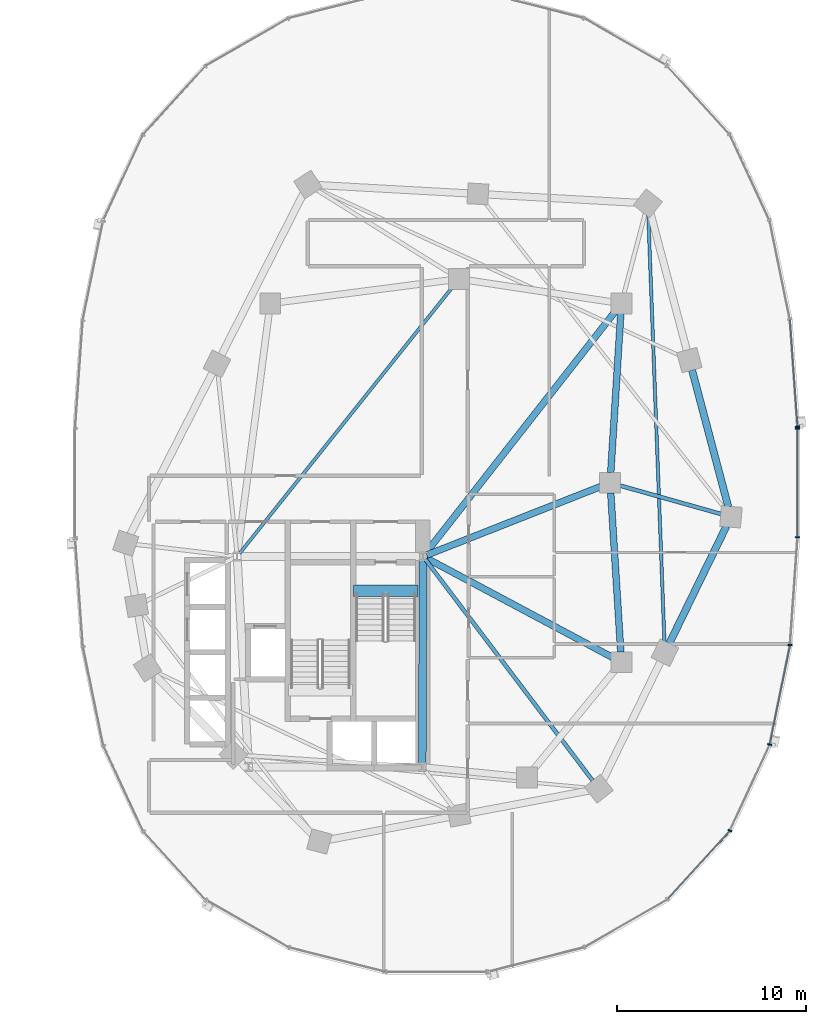
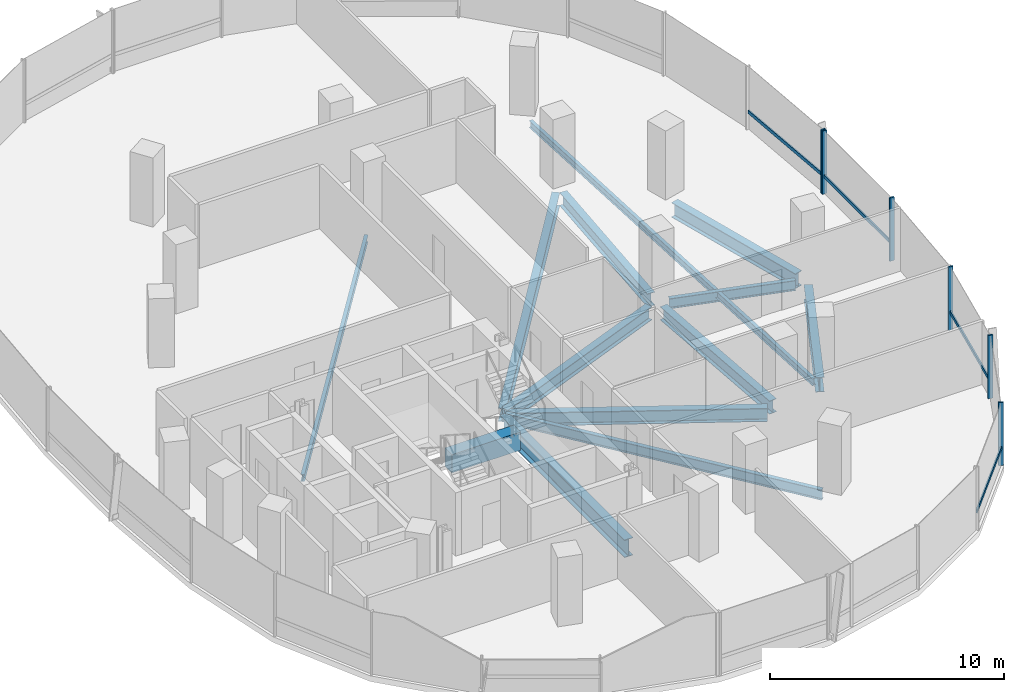
# One storey, part 6 of 21: 13 beams, 10 members, 2 elements without a shape of their own.
"""IFC4 building model written with IfcOpenShell, lengths in metres."""

from ifc_helpers import new_model, si_unit, direction, frame, origin, origin_2d, place, context, subcontext, project, spatial, rectangle, i_section, extrude, material, material_profile, profile_set, type_object, element, aggregate, save


model = new_model("IFC4")

# Units and contexts
model_context = context("Model", 3, precision=1e-05, world=origin(), true_north=direction((0.0, 1.0)))
body_context = subcontext(model_context, "Body", "Model", "MODEL_VIEW")
ifc_project = project(units=[si_unit("LENGTHUNIT", "METRE"), si_unit("AREAUNIT", "SQUARE_METRE"), si_unit("VOLUMEUNIT", "CUBIC_METRE"), si_unit("PLANEANGLEUNIT", "RADIAN"), si_unit("MASSUNIT", "GRAM", prefix="KILO"), si_unit("THERMODYNAMICTEMPERATUREUNIT", "KELVIN"), si_unit("POWERUNIT", "WATT")], contexts=[model_context])

# Site, building, storey
site_placement = place(None, origin())
site = spatial("IfcSite", under=ifc_project, at=site_placement, CompositionType="ELEMENT")
building_placement = place(site_placement, origin())
building = spatial("IfcBuilding", under=site, at=building_placement, Name="Cundina Bronze Exchange", CompositionType="ELEMENT")
storey_placement = place(building_placement, frame((0.0, 0.0, 85.39990234375)))
storey = spatial("IfcBuildingStorey", under=building, at=storey_placement, Name="L21", CompositionType="ELEMENT", Elevation=85.39990234375)

# Beams
ifc_material_1 = material(Name="Concrete C60/75", Category="concrete")
ifc_material_profile_1 = material_profile(ifc_material_1, rectangle(XDim=0.60009765625, YDim=0.949951171875, at=origin_2d()), Name="RC600X950", Category="concrete")
ifc_profile_set_1 = profile_set([ifc_material_profile_1], Name="Concrete C60/75")
beam_type_1 = type_object("IfcBeamType", Name="BM-COUP-RC950", PredefinedType="LINTEL", material=ifc_profile_set_1)
beam_1_placement = place(storey_placement, frame((27.6201171875, -5.719970703125, -0.474853515625), z_axis=(1.0, 0.0, 0.0), x_axis=(0.0, 1.0, 0.0)))
element("IfcBeam", 1, at=beam_1_placement, inside=storey, type_object=beam_type_1, Name="L21 Stair E1 Landing Header Beam", PredefinedType="LINTEL", context=body_context, shape_type="SweptSolid", body=[
    extrude(rectangle(XDim=0.60009765625, YDim=0.949951171875, at=origin_2d()), origin(), (0.0, 0.0, 1.0), 3.39990234375),
])
ifc_material_2 = material(Name="Steel ASTM A992 Grade 50", Category="steel")
ifc_material_profile_2 = material_profile(ifc_material_2, i_section(OverallWidth=0.2099609375, OverallDepth=0.532958984375, WebThickness=0.01025390625, FlangeThickness=0.015625, FilletRadius=0.013916015625, at=origin_2d()), Name="W21X62", Category="steel")
ifc_profile_set_2 = profile_set([ifc_material_profile_2], Name="Steel ASTM A992 Grade 50")
beam_type_2 = type_object("IfcBeamType", Name="BM-FLR-W21B", PredefinedType="BEAM", material=ifc_profile_set_2)
beam_2_placement = place(storey_placement, frame((31.423095703125, -4.062744140625, -0.56640625), z_axis=(0.603095885041, -0.797668699052, 0.0), x_axis=(0.797668699052, 0.603095885041, 0.0)))
element("IfcBeam", 2, at=beam_2_placement, inside=storey, type_object=beam_type_2, Name="L21 Leg E Chordal Floor Beam 06", PredefinedType="BEAM", context=body_context, shape_type="SweptSolid", body=[
    extrude(i_section(OverallWidth=0.2099609375, OverallDepth=0.532958984375, WebThickness=0.01025390625, FlangeThickness=0.015625, FilletRadius=0.013916015625, at=origin_2d()), origin(), (0.0, 0.0, 1.0), 14.677978515625),
])
beam_3_placement = place(storey_placement, frame((41.718017578125, -0.145751953125, -0.56640625), z_axis=(0.962654865541, -0.270731619598, 0.0), x_axis=(0.270731619598, 0.962654865541, 0.0)))
element("IfcBeam", 3, at=beam_3_placement, inside=storey, type_object=beam_type_2, Name="L21 Leg E Chordal Floor Beam 08", PredefinedType="BEAM", context=body_context, shape_type="SweptSolid", body=[
    extrude(i_section(OverallWidth=0.2099609375, OverallDepth=0.532958984375, WebThickness=0.01025390625, FlangeThickness=0.015625, FilletRadius=0.013916015625, at=origin_2d()), origin(), (0.0, 0.0, 1.0), 5.572021484375),
])
ifc_material_profile_3 = material_profile(ifc_material_2, i_section(OverallWidth=0.172119140625, OverallDepth=0.35791015625, WebThickness=0.0078125, FlangeThickness=0.01318359375, FilletRadius=0.010009765625, at=origin_2d()), Name="W14X38", Category="steel")
ifc_profile_set_3 = profile_set([ifc_material_profile_3], Name="Steel ASTM A992 Grade 50")
beam_type_3 = type_object("IfcBeamType", Name="BM-JST-W14", PredefinedType="JOIST", material=ifc_profile_set_3)
beam_4_placement = place(storey_placement, frame((21.577392578125, -3.740478515625, -0.47900390625), z_axis=(0.62436887964, 0.781129632095, 0.0), x_axis=(-0.781129632095, 0.62436887964, 0.0)))
element("IfcBeam", 4, at=beam_4_placement, inside=storey, type_object=beam_type_3, Name="L21 E Interior Core-to-Ring Joist 2", PredefinedType="JOIST", context=body_context, shape_type="SweptSolid", body=[
    extrude(i_section(OverallWidth=0.172119140625, OverallDepth=0.35791015625, WebThickness=0.0078125, FlangeThickness=0.01318359375, FilletRadius=0.010009765625, at=origin_2d()), origin(), (0.0, 0.0, 1.0), 18.076904296875),
])
beam_5_placement = place(storey_placement, frame((44.07958984375, -8.46240234375, -0.47900390625), z_axis=(-0.03778951385, 0.999285721224, 0.0), x_axis=(-0.999285721224, -0.03778951385, 0.0)))
element("IfcBeam", 5, at=beam_5_placement, inside=storey, type_object=beam_type_3, Name="L21 Leg E Lobe Floor Joist 07-10", PredefinedType="JOIST", context=body_context, shape_type="SweptSolid", body=[
    extrude(i_section(OverallWidth=0.172119140625, OverallDepth=0.35791015625, WebThickness=0.0078125, FlangeThickness=0.01318359375, FilletRadius=0.010009765625, at=origin_2d()), origin(), (0.0, 0.0, 1.0), 22.7412109375),
])
ifc_material_profile_4 = material_profile(ifc_material_2, i_section(OverallWidth=0.35498046875, OverallDepth=0.695068359375, WebThickness=0.015380859375, FlangeThickness=0.02490234375, FilletRadius=0.01806640625, at=origin_2d()), Name="W27X146", Category="steel")
ifc_profile_set_4 = profile_set([ifc_material_profile_4], Name="Steel ASTM A992 Grade 50")
beam_type_4 = type_object("IfcBeamType", Name="BM-RING-W27", PredefinedType="USERDEFINED", material=ifc_profile_set_4)
for number, where, z_axis, x_axis, name in (
    (6, (41.76611328125, -8.963134765625, -0.6474609375), (-0.06303715519, 0.998011180832, 0.0), (-0.998011180832, -0.06303715519, 0.0), "L21 E Inner Structural Ring Girder 03"),
    (7, (41.23388671875, 0.536865234375, -0.6474609375), (0.06303715519, 0.998011180832, 0.0), (-0.998011180832, 0.06303715519, 0.0), "L21 E Inner Structural Ring Girder 04"),
):
    element("IfcBeam", number, at=place(storey_placement, frame(where, z_axis=z_axis, x_axis=x_axis)), inside=storey, type_object=beam_type_4, Name=name, ObjectType="GIRDER", PredefinedType="USERDEFINED", context=body_context, shape_type="SweptSolid", body=[
        extrude(i_section(OverallWidth=0.35498046875, OverallDepth=0.695068359375, WebThickness=0.015380859375, FlangeThickness=0.02490234375, FilletRadius=0.01806640625, at=origin_2d()), origin(), (0.0, 0.0, 1.0), 8.443115234375),
    ])
beam_6_placement = place(storey_placement, frame((31.48974609375, -3.8251953125, -0.6474609375), z_axis=(0.930413235418, 0.366512225388, 0.0), x_axis=(-0.366512225388, 0.930413235418, 0.0)))
element("IfcBeam", 8, at=beam_6_placement, inside=storey, type_object=beam_type_4, Name="L21 E Core-to-Waist Tie Beam 1", ObjectType="GIRDER", PredefinedType="USERDEFINED", context=body_context, shape_type="SweptSolid", body=[
    extrude(i_section(OverallWidth=0.35498046875, OverallDepth=0.695068359375, WebThickness=0.015380859375, FlangeThickness=0.02490234375, FilletRadius=0.01806640625, at=origin_2d()), origin(), (0.0, 0.0, 1.0), 9.8984375),
])
beam_7_placement = place(storey_placement, frame((31.47998046875, -3.99609375, -0.6474609375), z_axis=(0.882354758239, -0.470584828286, 0.0), x_axis=(0.470584828286, 0.882354758239, 0.0)))
element("IfcBeam", 9, at=beam_7_placement, inside=storey, type_object=beam_type_4, Name="L21 E Core-to-Waist Tie Beam 2", ObjectType="GIRDER", PredefinedType="USERDEFINED", context=body_context, shape_type="SweptSolid", body=[
    extrude(i_section(OverallWidth=0.35498046875, OverallDepth=0.695068359375, WebThickness=0.015380859375, FlangeThickness=0.02490234375, FilletRadius=0.01806640625, at=origin_2d()), origin(), (0.0, 0.0, 1.0), 11.157958984375),
])
beam_8_placement = place(storey_placement, frame((31.42578125, -3.739501953125, -0.6474609375), z_axis=(0.616789275748, 0.787128318206, 0.0), x_axis=(-0.787128318206, 0.616789275748, 0.0)))
element("IfcBeam", 10, at=beam_8_placement, inside=storey, type_object=beam_type_4, Name="L21 E Core-to-Waist Tie Beam 3", ObjectType="GIRDER", PredefinedType="USERDEFINED", context=body_context, shape_type="SweptSolid", body=[
    extrude(i_section(OverallWidth=0.35498046875, OverallDepth=0.695068359375, WebThickness=0.015380859375, FlangeThickness=0.02490234375, FilletRadius=0.01806640625, at=origin_2d()), origin(), (0.0, 0.0, 1.0), 16.281982421875),
])
ifc_material_profile_5 = material_profile(ifc_material_2, i_section(OverallWidth=0.381103515625, OverallDepth=0.77294921875, WebThickness=0.0166015625, FlangeThickness=0.027099609375, FilletRadius=0.01904296875, at=origin_2d()), Name="W30X173", Category="steel")
ifc_profile_set_5 = profile_set([ifc_material_profile_5], Name="Steel ASTM A992 Grade 50")
beam_type_5 = type_object("IfcBeamType", Name="BM-RING-W30", PredefinedType="USERDEFINED", material=ifc_profile_set_5)
beam_9_placement = place(storey_placement, frame((44.335205078125, -8.51611328125, -0.6865234375), z_axis=(0.437193894283, 0.899367276924, 0.0), x_axis=(-0.899367276924, 0.437193894283, 0.0)))
element("IfcBeam", 11, at=beam_9_placement, inside=storey, type_object=beam_type_5, Name="L21 E Perimeter Ring Girder 07", ObjectType="GIRDER", PredefinedType="USERDEFINED", context=body_context, shape_type="SweptSolid", body=[
    extrude(i_section(OverallWidth=0.381103515625, OverallDepth=0.77294921875, WebThickness=0.0166015625, FlangeThickness=0.027099609375, FilletRadius=0.01904296875, at=origin_2d()), origin(), (0.0, 0.0, 1.0), 6.929443359375),
])
beam_10_placement = place(storey_placement, frame((47.462158203125, -1.280029296875, -0.6865234375), z_axis=(-0.256209719931, 0.966621218168, 0.0), x_axis=(-0.966621218168, -0.256209719931, 0.0)))
element("IfcBeam", 12, at=beam_10_placement, inside=storey, type_object=beam_type_5, Name="L21 E Perimeter Ring Girder 08", ObjectType="GIRDER", PredefinedType="USERDEFINED", context=body_context, shape_type="SweptSolid", body=[
    extrude(i_section(OverallWidth=0.381103515625, OverallDepth=0.77294921875, WebThickness=0.0166015625, FlangeThickness=0.027099609375, FilletRadius=0.01904296875, at=origin_2d()), origin(), (0.0, 0.0, 1.0), 7.5107421875),
])
ifc_material_profile_6 = material_profile(ifc_material_2, i_section(OverallWidth=0.41796875, OverallDepth=0.927001953125, WebThickness=0.019287109375, FlangeThickness=0.031982421875, FilletRadius=0.02392578125, at=origin_2d()), Name="W36X231", Category="steel")
ifc_profile_set_6 = profile_set([ifc_material_profile_6], Name="Steel ASTM A992 Grade 50")
beam_type_6 = type_object("IfcBeamType", Name="BM-WRN-W36B", PredefinedType="USERDEFINED", material=ifc_profile_set_6)
beam_11_placement = place(storey_placement, frame((31.2509765625, -14.845947265625, -0.763427734375), z_axis=(0.004477329608, 0.99998997671, 0.0), x_axis=(-0.99998997671, 0.004477329608, 0.0)))
element("IfcBeam", 13, at=beam_11_placement, inside=storey, type_object=beam_type_6, Name="L21 E Core Perimeter Tie Girder 4", ObjectType="GIRDER", PredefinedType="USERDEFINED", context=body_context, shape_type="SweptSolid", body=[
    extrude(i_section(OverallWidth=0.41796875, OverallDepth=0.927001953125, WebThickness=0.019287109375, FlangeThickness=0.031982421875, FilletRadius=0.02392578125, at=origin_2d()), origin(), (0.0, 0.0, 1.0), 10.741943359375),
])

# Curtain wall, member
ifc_material_3 = material(Name="Anodised Bronze Aluminium 6063-T6", Category="aluminium")
curtain_wall_type = type_object("IfcCurtainWallType", Name="CWS-TRD-MID", PredefinedType="NOTDEFINED", material=ifc_material_3)
curtain_wall_1_placement = place(storey_placement, origin())
curtain_wall_1 = element("IfcCurtainWall", 14, at=curtain_wall_1_placement, inside=storey, type_object=curtain_wall_type, Name="L21 CW-03 Curtain Wall Run CWR-L21-E1", PredefinedType="NOTDEFINED")
ifc_material_profile_7 = material_profile(ifc_material_3, rectangle(XDim=0.074951171875, YDim=0.219970703125, at=origin_2d()), Name="AL75X220", Category="aluminium")
ifc_profile_set_7 = profile_set([ifc_material_profile_7], Name="Anodised Bronze Aluminium 6063-T6")
member_type_1 = type_object("IfcMemberType", Name="CWM-MUL-220", PredefinedType="MULLION", material=ifc_profile_set_7)
member_1_placement = place(storey_placement, frame((51.12451171875, 2.976318359375, 0.0), z_axis=(0.0, 0.0, 1.0), x_axis=(-0.070278787473, 0.997527389113, 0.0)))
member_1 = element("IfcMember", 15, at=member_1_placement, type_object=member_type_1, Name="CW-03 Mullion 1", PredefinedType="MULLION", context=body_context, shape_type="SweptSolid", body=[
    extrude(rectangle(XDim=0.074951171875, YDim=0.219970703125, at=origin_2d()), origin(), (0.0, 0.0, 1.0), 3.300048828125),
])

# Curtain wall, members
curtain_wall_2_placement = place(storey_placement, origin())
curtain_wall_2 = element("IfcCurtainWall", 16, at=curtain_wall_2_placement, inside=storey, type_object=curtain_wall_type, Name="L21 CW-03 Curtain Wall Run CWR-L21-E4", PredefinedType="NOTDEFINED")
member_2_placement = place(storey_placement, frame((47.544189453125, -18.423583984375, 0.0), z_axis=(0.0, 0.0, 1.0), x_axis=(0.42087749791, 0.907117485088, 0.0)))
member_2 = element("IfcMember", 17, at=member_2_placement, type_object=member_type_1, Name="CW-03 Mullion 4", PredefinedType="MULLION", context=body_context, shape_type="SweptSolid", body=[
    extrude(rectangle(XDim=0.074951171875, YDim=0.219970703125, at=origin_2d()), origin(), (0.0, 0.0, 1.0), 3.300048828125),
])
member_3_placement = place(storey_placement, frame((49.651123046875, -13.861328125, 0.0), z_axis=(0.0, 0.0, 1.0), x_axis=(0.201419845156, 0.979505000486, 0.0)))
member_3 = element("IfcMember", 18, at=member_3_placement, type_object=member_type_1, Name="CW-03 Mullion 5", PredefinedType="MULLION", context=body_context, shape_type="SweptSolid", body=[
    extrude(rectangle(XDim=0.074951171875, YDim=0.219970703125, at=origin_2d()), origin(), (0.0, 0.0, 1.0), 3.300048828125),
])
member_4_placement = place(storey_placement, frame((50.72900390625, -8.591552734375, 0.0), z_axis=(0.0, 0.0, 1.0), x_axis=(0.070278787473, 0.997527389113, 0.0)))
member_4 = element("IfcMember", 19, at=member_4_placement, type_object=member_type_1, Name="CW-03 Mullion 6", PredefinedType="MULLION", context=body_context, shape_type="SweptSolid", body=[
    extrude(rectangle(XDim=0.074951171875, YDim=0.219970703125, at=origin_2d()), origin(), (0.0, 0.0, 1.0), 3.300048828125),
])
member_5_placement = place(storey_placement, frame((51.1279296875, -2.880615234375, 0.0), z_axis=(0.0, 0.0, 1.0), x_axis=(0.0, 1.0, 0.0)))
member_5 = element("IfcMember", 20, at=member_5_placement, type_object=member_type_1, Name="CW-03 Mullion 7", PredefinedType="MULLION", context=body_context, shape_type="SweptSolid", body=[
    extrude(rectangle(XDim=0.074951171875, YDim=0.219970703125, at=origin_2d()), origin(), (0.0, 0.0, 1.0), 3.300048828125),
])
member_6_placement = place(storey_placement, frame((51.1279296875, 2.880615234375, 0.0), z_axis=(0.0, 0.0, 1.0), x_axis=(0.0, 1.0, 0.0)))
member_6 = element("IfcMember", 21, at=member_6_placement, type_object=member_type_1, Name="CW-03 End Mullion", PredefinedType="MULLION", context=body_context, shape_type="SweptSolid", body=[
    extrude(rectangle(XDim=0.074951171875, YDim=0.219970703125, at=origin_2d()), origin(), (0.0, 0.0, 1.0), 3.300048828125),
])

# Member
ifc_material_profile_8 = material_profile(ifc_material_3, rectangle(XDim=0.070068359375, YDim=0.179931640625, at=origin_2d()), Name="AL70X180", Category="aluminium")
ifc_profile_set_8 = profile_set([ifc_material_profile_8], Name="Anodised Bronze Aluminium 6063-T6")
member_type_2 = type_object("IfcMemberType", Name="CWM-TRN-180", PredefinedType="USERDEFINED", material=ifc_profile_set_8)
member_7_placement = place(storey_placement, frame((51.12158203125, 3.017333984375, 0.920166015625), z_axis=(-0.070260714471, 0.997528662246, 0.0), x_axis=(-0.997528662246, -0.070260714471, 0.0)))
member_7 = element("IfcMember", 22, at=member_7_placement, type_object=member_type_2, Name="CW-03 Spandrel Transom 1", ObjectType="TRANSOM", PredefinedType="USERDEFINED", context=body_context, shape_type="SweptSolid", body=[
    extrude(rectangle(XDim=0.070068359375, YDim=0.179931640625, at=origin_2d()), origin(), (0.0, 0.0, 1.0), 5.629150390625),
])

aggregate(curtain_wall_1, [member_1, member_7])

member_8_placement = place(storey_placement, frame((44.26708984375, -22.027099609375, 0.920166015625), z_axis=(0.674302794847, 0.738454968743, 0.0), x_axis=(-0.738454968743, 0.674302794847, 0.0)))
member_8 = element("IfcMember", 23, at=member_8_placement, type_object=member_type_2, Name="CW-03 Spandrel Transom 3", ObjectType="TRANSOM", PredefinedType="USERDEFINED", context=body_context, shape_type="SweptSolid", body=[
    extrude(rectangle(XDim=0.070068359375, YDim=0.179931640625, at=origin_2d()), origin(), (0.0, 0.0, 1.0), 4.848388671875),
])

member_9_placement = place(storey_placement, frame((49.659423828125, -13.821044921875, 0.920166015625), z_axis=(0.201427712708, 0.979503382615, 0.0), x_axis=(-0.979503382615, 0.201427712708, 0.0)))
member_9 = element("IfcMember", 24, at=member_9_placement, type_object=member_type_2, Name="CW-03 Spandrel Transom 5", ObjectType="TRANSOM", PredefinedType="USERDEFINED", context=body_context, shape_type="SweptSolid", body=[
    extrude(rectangle(XDim=0.070068359375, YDim=0.179931640625, at=origin_2d()), origin(), (0.0, 0.0, 1.0), 5.291748046875),
])

member_10_placement = place(storey_placement, frame((51.1279296875, -2.839111328125, 0.920166015625), z_axis=(0.0, 1.0, 0.0), x_axis=(-1.0, 0.0, 0.0)))
member_10 = element("IfcMember", 25, at=member_10_placement, type_object=member_type_2, Name="CW-03 Spandrel Transom 7", ObjectType="TRANSOM", PredefinedType="USERDEFINED", context=body_context, shape_type="SweptSolid", body=[
    extrude(rectangle(XDim=0.070068359375, YDim=0.179931640625, at=origin_2d()), origin(), (0.0, 0.0, 1.0), 5.67822265625),
])

aggregate(curtain_wall_2, [member_8, member_2, member_3, member_9, member_4, member_5, member_6, member_10])

save(model, "model.ifc")
